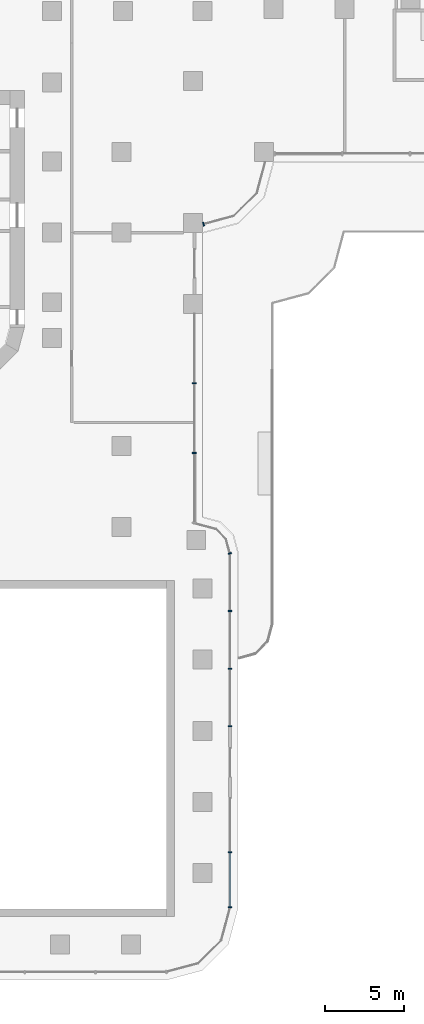
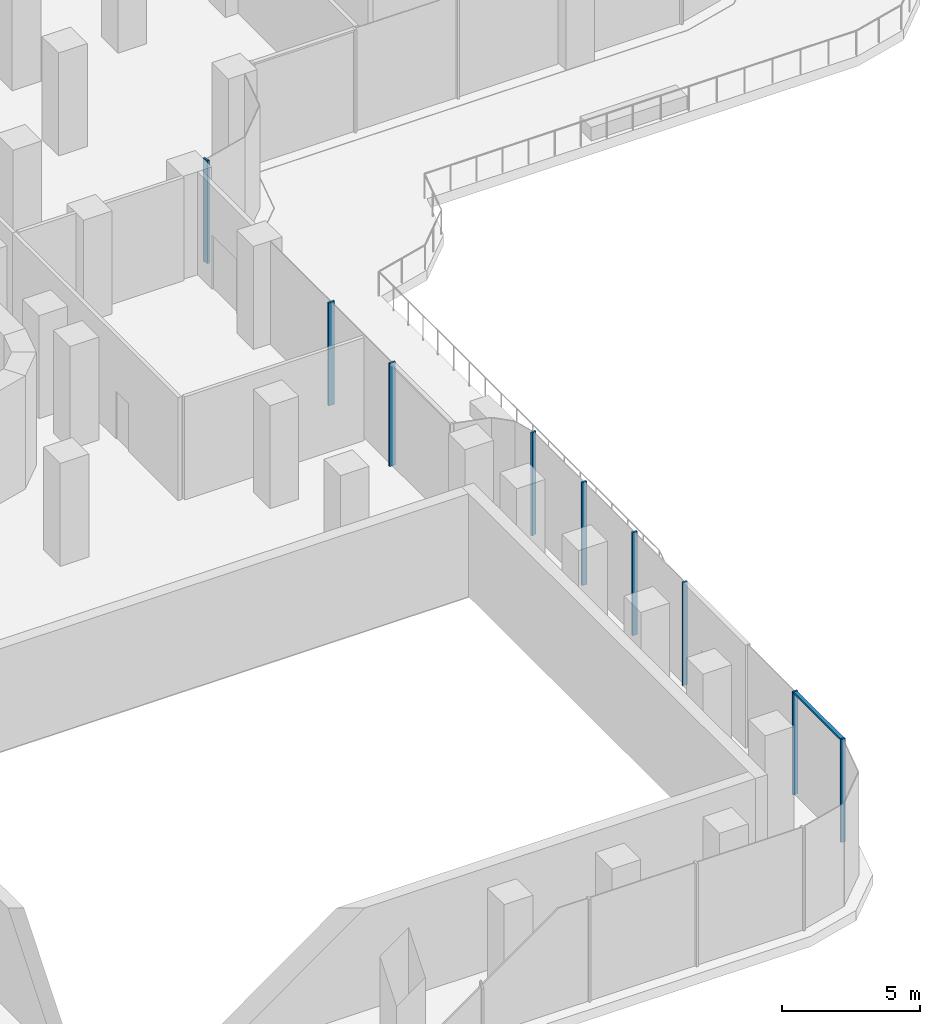
# One storey, part 5 of 27: 10 members, 4 elements without a shape of their own.
"""IFC4 building model written with IfcOpenShell, lengths in metres."""

from ifc_helpers import new_model, si_unit, direction, frame, origin, place, context, subcontext, project, spatial, polyline, outline, extrude, source, transform, mapped, material, type_object, element, aggregate, save


model = new_model("IFC4")

# Units and contexts
model_context = context("Model", 3, precision=1e-05, world=origin(), true_north=direction((0.0, 1.0)))
body_context = subcontext(model_context, "Body", "Model", "MODEL_VIEW")
ifc_project = project(units=[si_unit("LENGTHUNIT", "METRE"), si_unit("AREAUNIT", "SQUARE_METRE"), si_unit("VOLUMEUNIT", "CUBIC_METRE"), si_unit("PLANEANGLEUNIT", "RADIAN"), si_unit("MASSUNIT", "GRAM", prefix="KILO")], contexts=[model_context])

# Site, building, storey
site_placement = place(None, origin())
site = spatial("IfcSite", under=ifc_project, at=site_placement, CompositionType="ELEMENT")
building_placement = place(site_placement, origin())
building = spatial("IfcBuilding", under=site, at=building_placement, Name="Zarbagh Exchange Tower", CompositionType="ELEMENT")
storey_placement = place(building_placement, frame((0.0, 0.0, 17.0)))
storey = spatial("IfcBuildingStorey", under=building, at=storey_placement, Name="L03", CompositionType="ELEMENT", Elevation=17.0)

# Curtain wall, members
ifc_material_1 = material(Name="Anodised aluminium frame and glazing", Category="aluminium")
curtain_wall_type_1 = type_object("IfcCurtainWallType", Name="CWD Exchange hall wall glazing", PredefinedType="NOTDEFINED", material=ifc_material_1)
curtain_wall_1_placement = place(storey_placement, origin())
curtain_wall_1 = element("IfcCurtainWall", 1, at=curtain_wall_1_placement, inside=storey, type_object=curtain_wall_type_1, Name="CWD14 curtain wall", PredefinedType="NOTDEFINED")
ifc_material_2 = material(Name="Anodised aluminium frame", Category="aluminium")
member_type_1 = type_object("IfcMemberType", Name="MUD Mullion, anodised aluminium frame", PredefinedType="MULLION", material=ifc_material_2)
shared_shape_1 = source(origin(), body_context, "Body", "SweptSolid", [
    extrude(outline(polyline([(0.0, -0.10009765625), (0.080078125, -0.10009765625), (0.080078125, 0.10009765625), (0.0, 0.10009765625), (0.0, -0.10009765625)])), origin(), (0.0, 0.0, 1.0), 4.550048828125),
])
placement = place(storey_placement, origin())
member_1 = element("IfcMember", 2, at=placement, type_object=member_type_1, Name="CWD14 mullion 1.1", PredefinedType="MULLION", context=body_context, shape_type="MappedRepresentation", body=[
    mapped(shared_shape_1, transform((17.5, -62.93408203125, 0.0), x_axis=(0.0, 1.0, 0.0), y_axis=(-1.0, 0.0, 0.0), z_axis=(0.0, 0.0, 1.0))),
])
member_2 = element("IfcMember", 3, at=placement, type_object=member_type_1, Name="CWD14 mullion 1.2", PredefinedType="MULLION", context=body_context, shape_type="MappedRepresentation", body=[
    mapped(shared_shape_1, transform((17.5, -59.467041015625, 0.0), x_axis=(0.0, 1.0, 0.0), y_axis=(-1.0, 0.0, 0.0), z_axis=(0.0, 0.0, 1.0))),
])
member_3 = element("IfcMember", 4, at=placement, type_object=member_type_1, Name="CWD14 mullion 2.1", PredefinedType="MULLION", context=body_context, shape_type="MappedRepresentation", body=[
    mapped(shared_shape_1, transform((17.5, -51.5, 0.0), x_axis=(0.0, 1.0, 0.0), y_axis=(-1.0, 0.0, 0.0), z_axis=(0.0, 0.0, 1.0))),
])
member_4 = element("IfcMember", 5, at=placement, type_object=member_type_1, Name="CWD14 mullion 2.2", PredefinedType="MULLION", context=body_context, shape_type="MappedRepresentation", body=[
    mapped(shared_shape_1, transform((17.5, -47.855224609375, 0.0), x_axis=(0.0, 1.0, 0.0), y_axis=(-1.0, 0.0, 0.0), z_axis=(0.0, 0.0, 1.0))),
])
member_5 = element("IfcMember", 6, at=placement, type_object=member_type_1, Name="CWD14 mullion 2.3", PredefinedType="MULLION", context=body_context, shape_type="MappedRepresentation", body=[
    mapped(shared_shape_1, transform((17.5, -44.21044921875, 0.0), x_axis=(0.0, 1.0, 0.0), y_axis=(-1.0, 0.0, 0.0), z_axis=(0.0, 0.0, 1.0))),
])

# Curtain wall, member
curtain_wall_2_placement = place(storey_placement, origin())
curtain_wall_2 = element("IfcCurtainWall", 7, at=curtain_wall_2_placement, inside=storey, type_object=curtain_wall_type_1, Name="CWD15 curtain wall", PredefinedType="NOTDEFINED")
member_6 = element("IfcMember", 8, at=placement, type_object=member_type_1, Name="CWD15 mullion 1.1", PredefinedType="MULLION", context=body_context, shape_type="MappedRepresentation", body=[
    mapped(shared_shape_1, transform((17.5, -40.56591796875, 0.0), x_axis=(-0.25878472492, 0.965935021701, 0.0), y_axis=(-0.965935021701, -0.25878472492, 0.0), z_axis=(0.0, 0.0, 1.0))),
])
aggregate(curtain_wall_2, [member_6])

# Curtain wall, members
curtain_wall_type_2 = type_object("IfcCurtainWallType", Name="CWC Podium garden-wall glazing", PredefinedType="NOTDEFINED", material=ifc_material_1)
curtain_wall_3_placement = place(storey_placement, origin())
curtain_wall_3 = element("IfcCurtainWall", 9, at=curtain_wall_3_placement, inside=storey, type_object=curtain_wall_type_2, Name="CWC146 curtain wall", PredefinedType="NOTDEFINED")
member_type_2 = type_object("IfcMemberType", Name="MUC Mullion, anodised aluminium frame", PredefinedType="MULLION", material=ifc_material_2)
shared_shape_2 = source(origin(), body_context, "Body", "SweptSolid", [
    extrude(outline(polyline([(0.0, -0.125), (0.080078125, -0.125), (0.080078125, 0.125), (0.0, 0.125), (0.0, -0.125)])), origin(), (0.0, 0.0, 1.0), 4.550048828125),
])
member_7 = element("IfcMember", 10, at=placement, type_object=member_type_2, Name="CWC146 mullion 1.2", PredefinedType="MULLION", context=body_context, shape_type="MappedRepresentation", body=[
    mapped(shared_shape_2, transform((15.25, -34.218994140625, 0.0), x_axis=(0.0, 1.0, 0.0), y_axis=(-1.0, 0.0, 0.0), z_axis=(0.0, 0.0, 1.0))),
])
member_8 = element("IfcMember", 11, at=placement, type_object=member_type_2, Name="CWC146 mullion 1.3", PredefinedType="MULLION", context=body_context, shape_type="MappedRepresentation", body=[
    mapped(shared_shape_2, transform((15.25, -29.804443359375, 0.0), x_axis=(0.0, 1.0, 0.0), y_axis=(-1.0, 0.0, 0.0), z_axis=(0.0, 0.0, 1.0))),
])
aggregate(curtain_wall_3, [member_7, member_8])

# Curtain wall, member
curtain_wall_4_placement = place(storey_placement, origin())
curtain_wall_4 = element("IfcCurtainWall", 12, at=curtain_wall_4_placement, inside=storey, type_object=curtain_wall_type_2, Name="CWC147 curtain wall", PredefinedType="NOTDEFINED")
member_9 = element("IfcMember", 13, at=placement, type_object=member_type_2, Name="CWC147 mullion 1.1", PredefinedType="MULLION", context=body_context, shape_type="MappedRepresentation", body=[
    mapped(shared_shape_2, transform((15.7900390625, -19.7216796875, 0.0), x_axis=(0.965924289636, 0.258824779902, 0.0), y_axis=(-0.258824779902, 0.965924289636, 0.0), z_axis=(0.0, 0.0, 1.0))),
])
aggregate(curtain_wall_4, [member_9])

# Member
member_type_3 = type_object("IfcMemberType", Name="TRD Transom, anodised aluminium frame", PredefinedType="USERDEFINED", material=ifc_material_2)
shared_shape_3 = source(origin(), body_context, "Body", "SweptSolid", [
    extrude(outline(polyline([(-0.080078125, -0.074951171875), (0.0, -0.074951171875), (0.0, 0.074951171875), (-0.080078125, 0.074951171875), (-0.080078125, -0.074951171875)])), origin(), (0.0, 0.0, 1.0), 3.38720703125),
])
member_10 = element("IfcMember", 14, at=placement, type_object=member_type_3, Name="CWD14 transom 1.1", ObjectType="TRANSOM", PredefinedType="USERDEFINED", context=body_context, shape_type="MappedRepresentation", body=[
    mapped(shared_shape_3, transform((17.5, -62.854248046875, 4.550048828125), x_axis=(0.0, 0.0, 1.0), y_axis=(1.0, 0.0, 0.0), z_axis=(0.0, 1.0, 0.0))),
])

aggregate(curtain_wall_1, [member_1, member_10, member_2, member_3, member_4, member_5])

save(model, "model.ifc")
